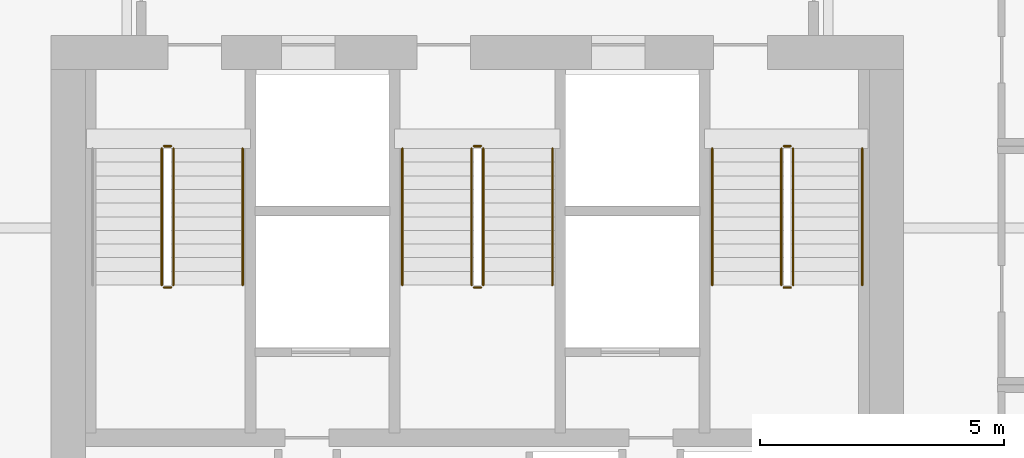
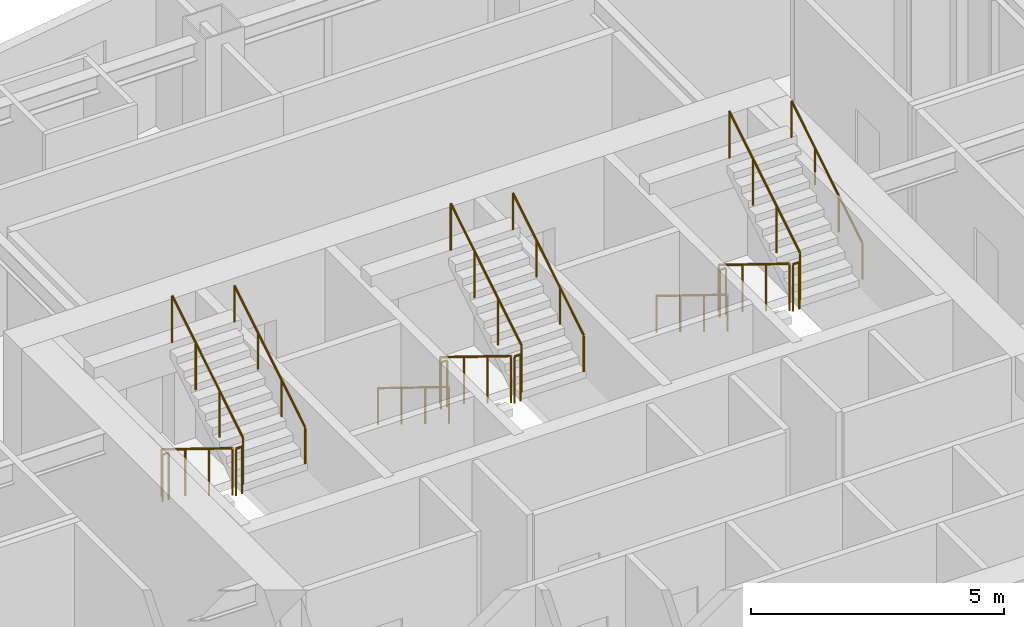
# One storey, part 15 of 15: 17 railings.
"""IFC4 building model written with IfcOpenShell, lengths in metres."""

from ifc_helpers import new_model, si_unit, direction, frame, origin, origin_2d, place, context, subcontext, project, spatial, circle, extrude, material, type_object, element, save


model = new_model("IFC4")

# Units and contexts
model_context = context("Model", 3, precision=1e-05, world=origin(), true_north=direction((0.0, 1.0)))
body_context = subcontext(model_context, "Body", "Model", "MODEL_VIEW")
ifc_project = project(units=[si_unit("LENGTHUNIT", "METRE"), si_unit("AREAUNIT", "SQUARE_METRE"), si_unit("VOLUMEUNIT", "CUBIC_METRE"), si_unit("PLANEANGLEUNIT", "RADIAN"), si_unit("MASSUNIT", "GRAM", prefix="KILO")], contexts=[model_context])

# Site, building, storey
site_placement = place(None, origin())
site = spatial("IfcSite", under=ifc_project, at=site_placement, CompositionType="ELEMENT")
building_placement = place(site_placement, origin())
building = spatial("IfcBuilding", under=site, at=building_placement, Name="Haolan Belvedere Tower", CompositionType="ELEMENT")
storey_placement = place(building_placement, frame((0.0, 0.0, 156.199951171875)))
storey = spatial("IfcBuildingStorey", under=building, at=storey_placement, Name="L39", CompositionType="ELEMENT", Elevation=156.199951171875)

# Railings
ifc_material = material(Name="Brushed stainless steel 304", Category="steel")
railing_type_1 = type_object("IfcRailingType", Name="RL-STAIR-GRD-1150", PredefinedType="GUARDRAIL", material=ifc_material)
railing_1_placement = place(storey_placement, frame((31.919921875, 41.22998046875, 0.1728515625)))
element("IfcRailing", 1, at=railing_1_placement, inside=storey, type_object=railing_type_1, Name="L39 ST1 stair guard 1", PredefinedType="GUARDRAIL", context=body_context, shape_type="SweptSolid", body=[
    extrude(circle(Radius=0.02392578125, at=origin_2d()), frame((0.0, 0.0, 1.1259765625), z_axis=(0.0, -0.851089632645, 0.525020415988), x_axis=(1.0, 0.0, 0.0)), (0.0, 0.0, 1.0), 3.2900390625),
    extrude(circle(Radius=0.02099609375, at=origin_2d()), origin(), (0.0, 0.0, 1.0), 1.101806640625),
    extrude(circle(Radius=0.02099609375, at=origin_2d()), frame((0.0, -0.933349609375, 0.57568359375)), (0.0, 0.0, 1.0), 1.101806640625),
    extrude(circle(Radius=0.02099609375, at=origin_2d()), frame((0.0, -1.86669921875, 1.151611328125)), (0.0, 0.0, 1.0), 1.101806640625),
    extrude(circle(Radius=0.02099609375, at=origin_2d()), frame((0.0, -2.800048828125, 1.727294921875)), (0.0, 0.0, 1.0), 1.101806640625),
])
railing_2_placement = place(storey_placement, frame((31.969970703125, 38.3798828125, 1.900146484375)))
element("IfcRailing", 2, at=railing_2_placement, inside=storey, type_object=railing_type_1, Name="L39 ST1 stair guard 2", PredefinedType="GUARDRAIL", context=body_context, shape_type="SweptSolid", body=[
    extrude(circle(Radius=0.02392578125, at=origin_2d()), frame((0.0, 0.0, 1.1259765625), z_axis=(1.0, 0.0, 0.0), x_axis=(0.0, 1.0, 0.0)), (0.0, 0.0, 1.0), 0.14013671875),
    extrude(circle(Radius=0.02099609375, at=origin_2d()), origin(), (0.0, 0.0, 1.0), 1.101806640625),
    extrude(circle(Radius=0.02099609375, at=origin_2d()), frame((0.14013671875, 0.0, 0.0)), (0.0, 0.0, 1.0), 1.101806640625),
])
railing_3_placement = place(storey_placement, frame((32.159912109375, 38.429931640625, 2.07275390625)))
element("IfcRailing", 3, at=railing_3_placement, inside=storey, type_object=railing_type_1, Name="L39 ST1 stair guard 3", PredefinedType="GUARDRAIL", context=body_context, shape_type="SweptSolid", body=[
    extrude(circle(Radius=0.02392578125, at=origin_2d()), frame((0.0, 0.0, 1.1259765625), z_axis=(0.0, 0.851089632645, 0.525020415988), x_axis=(-1.0, 0.0, 0.0)), (0.0, 0.0, 1.0), 3.2900390625),
    extrude(circle(Radius=0.02099609375, at=origin_2d()), origin(), (0.0, 0.0, 1.0), 1.101806640625),
    extrude(circle(Radius=0.02099609375, at=origin_2d()), frame((0.0, 0.933349609375, 0.57568359375)), (0.0, 0.0, 1.0), 1.101806640625),
    extrude(circle(Radius=0.02099609375, at=origin_2d()), frame((0.0, 1.86669921875, 1.151611328125)), (0.0, 0.0, 1.0), 1.101806640625),
    extrude(circle(Radius=0.02099609375, at=origin_2d()), frame((0.0, 2.800048828125, 1.727294921875)), (0.0, 0.0, 1.0), 1.101806640625),
])
railing_4_placement = place(storey_placement, frame((31.969970703125, 41.280029296875, 0.0)))
element("IfcRailing", 4, at=railing_4_placement, inside=storey, type_object=railing_type_1, Name="L39 ST1 stair guard 4", PredefinedType="GUARDRAIL", context=body_context, shape_type="SweptSolid", body=[
    extrude(circle(Radius=0.02392578125, at=origin_2d()), frame((0.0, 0.0, 1.1259765625), z_axis=(1.0, 0.0, 0.0), x_axis=(0.0, 1.0, 0.0)), (0.0, 0.0, 1.0), 0.14013671875),
    extrude(circle(Radius=0.02099609375, at=origin_2d()), origin(), (0.0, 0.0, 1.0), 1.101806640625),
    extrude(circle(Radius=0.02099609375, at=origin_2d()), frame((0.14013671875, 0.0, 0.0)), (0.0, 0.0, 1.0), 1.101806640625),
])
railing_5_placement = place(storey_placement, frame((38.280029296875, 41.22998046875, 0.1728515625)))
element("IfcRailing", 5, at=railing_5_placement, inside=storey, type_object=railing_type_1, Name="L39 ST3 stair guard 1", PredefinedType="GUARDRAIL", context=body_context, shape_type="SweptSolid", body=[
    extrude(circle(Radius=0.02392578125, at=origin_2d()), frame((0.0, 0.0, 1.1259765625), z_axis=(0.0, -0.851089632645, 0.525020415988), x_axis=(1.0, 0.0, 0.0)), (0.0, 0.0, 1.0), 3.2900390625),
    extrude(circle(Radius=0.02099609375, at=origin_2d()), origin(), (0.0, 0.0, 1.0), 1.101806640625),
    extrude(circle(Radius=0.02099609375, at=origin_2d()), frame((0.0, -0.933349609375, 0.57568359375)), (0.0, 0.0, 1.0), 1.101806640625),
    extrude(circle(Radius=0.02099609375, at=origin_2d()), frame((0.0, -1.86669921875, 1.151611328125)), (0.0, 0.0, 1.0), 1.101806640625),
    extrude(circle(Radius=0.02099609375, at=origin_2d()), frame((0.0, -2.800048828125, 1.727294921875)), (0.0, 0.0, 1.0), 1.101806640625),
])
railing_6_placement = place(storey_placement, frame((38.330078125, 38.3798828125, 1.900146484375)))
element("IfcRailing", 6, at=railing_6_placement, inside=storey, type_object=railing_type_1, Name="L39 ST3 stair guard 2", PredefinedType="GUARDRAIL", context=body_context, shape_type="SweptSolid", body=[
    extrude(circle(Radius=0.02392578125, at=origin_2d()), frame((0.0, 0.0, 1.1259765625), z_axis=(1.0, 0.0, 0.0), x_axis=(0.0, 1.0, 0.0)), (0.0, 0.0, 1.0), 0.139892578125),
    extrude(circle(Radius=0.02099609375, at=origin_2d()), origin(), (0.0, 0.0, 1.0), 1.101806640625),
    extrude(circle(Radius=0.02099609375, at=origin_2d()), frame((0.139892578125, 0.0, 0.0)), (0.0, 0.0, 1.0), 1.101806640625),
])
railing_7_placement = place(storey_placement, frame((38.52001953125, 38.429931640625, 2.07275390625)))
element("IfcRailing", 7, at=railing_7_placement, inside=storey, type_object=railing_type_1, Name="L39 ST3 stair guard 3", PredefinedType="GUARDRAIL", context=body_context, shape_type="SweptSolid", body=[
    extrude(circle(Radius=0.02392578125, at=origin_2d()), frame((0.0, 0.0, 1.1259765625), z_axis=(0.0, 0.851089632645, 0.525020415988), x_axis=(-1.0, 0.0, 0.0)), (0.0, 0.0, 1.0), 3.2900390625),
    extrude(circle(Radius=0.02099609375, at=origin_2d()), origin(), (0.0, 0.0, 1.0), 1.101806640625),
    extrude(circle(Radius=0.02099609375, at=origin_2d()), frame((0.0, 0.933349609375, 0.57568359375)), (0.0, 0.0, 1.0), 1.101806640625),
    extrude(circle(Radius=0.02099609375, at=origin_2d()), frame((0.0, 1.86669921875, 1.151611328125)), (0.0, 0.0, 1.0), 1.101806640625),
    extrude(circle(Radius=0.02099609375, at=origin_2d()), frame((0.0, 2.800048828125, 1.727294921875)), (0.0, 0.0, 1.0), 1.101806640625),
])
railing_8_placement = place(storey_placement, frame((38.330078125, 41.280029296875, 0.0)))
element("IfcRailing", 8, at=railing_8_placement, inside=storey, type_object=railing_type_1, Name="L39 ST3 stair guard 4", PredefinedType="GUARDRAIL", context=body_context, shape_type="SweptSolid", body=[
    extrude(circle(Radius=0.02392578125, at=origin_2d()), frame((0.0, 0.0, 1.1259765625), z_axis=(1.0, 0.0, 0.0), x_axis=(0.0, 1.0, 0.0)), (0.0, 0.0, 1.0), 0.139892578125),
    extrude(circle(Radius=0.02099609375, at=origin_2d()), origin(), (0.0, 0.0, 1.0), 1.101806640625),
    extrude(circle(Radius=0.02099609375, at=origin_2d()), frame((0.139892578125, 0.0, 0.0)), (0.0, 0.0, 1.0), 1.101806640625),
])
railing_9_placement = place(storey_placement, frame((44.639892578125, 41.22998046875, 0.1728515625)))
element("IfcRailing", 9, at=railing_9_placement, inside=storey, type_object=railing_type_1, Name="L39 ST2 stair guard 1", PredefinedType="GUARDRAIL", context=body_context, shape_type="SweptSolid", body=[
    extrude(circle(Radius=0.02392578125, at=origin_2d()), frame((0.0, 0.0, 1.1259765625), z_axis=(0.0, -0.851089632645, 0.525020415988), x_axis=(1.0, 0.0, 0.0)), (0.0, 0.0, 1.0), 3.2900390625),
    extrude(circle(Radius=0.02099609375, at=origin_2d()), origin(), (0.0, 0.0, 1.0), 1.101806640625),
    extrude(circle(Radius=0.02099609375, at=origin_2d()), frame((0.0, -0.933349609375, 0.57568359375)), (0.0, 0.0, 1.0), 1.101806640625),
    extrude(circle(Radius=0.02099609375, at=origin_2d()), frame((0.0, -1.86669921875, 1.151611328125)), (0.0, 0.0, 1.0), 1.101806640625),
    extrude(circle(Radius=0.02099609375, at=origin_2d()), frame((0.0, -2.800048828125, 1.727294921875)), (0.0, 0.0, 1.0), 1.101806640625),
])
railing_10_placement = place(storey_placement, frame((44.68994140625, 38.3798828125, 1.900146484375)))
element("IfcRailing", 10, at=railing_10_placement, inside=storey, type_object=railing_type_1, Name="L39 ST2 stair guard 2", PredefinedType="GUARDRAIL", context=body_context, shape_type="SweptSolid", body=[
    extrude(circle(Radius=0.02392578125, at=origin_2d()), frame((0.0, 0.0, 1.1259765625), z_axis=(1.0, 0.0, 0.0), x_axis=(0.0, 1.0, 0.0)), (0.0, 0.0, 1.0), 0.14013671875),
    extrude(circle(Radius=0.02099609375, at=origin_2d()), origin(), (0.0, 0.0, 1.0), 1.101806640625),
    extrude(circle(Radius=0.02099609375, at=origin_2d()), frame((0.14013671875, 0.0, 0.0)), (0.0, 0.0, 1.0), 1.101806640625),
])
railing_11_placement = place(storey_placement, frame((44.8798828125, 38.429931640625, 2.07275390625)))
element("IfcRailing", 11, at=railing_11_placement, inside=storey, type_object=railing_type_1, Name="L39 ST2 stair guard 3", PredefinedType="GUARDRAIL", context=body_context, shape_type="SweptSolid", body=[
    extrude(circle(Radius=0.02392578125, at=origin_2d()), frame((0.0, 0.0, 1.1259765625), z_axis=(0.0, 0.851089632645, 0.525020415988), x_axis=(-1.0, 0.0, 0.0)), (0.0, 0.0, 1.0), 3.2900390625),
    extrude(circle(Radius=0.02099609375, at=origin_2d()), origin(), (0.0, 0.0, 1.0), 1.101806640625),
    extrude(circle(Radius=0.02099609375, at=origin_2d()), frame((0.0, 0.933349609375, 0.57568359375)), (0.0, 0.0, 1.0), 1.101806640625),
    extrude(circle(Radius=0.02099609375, at=origin_2d()), frame((0.0, 1.86669921875, 1.151611328125)), (0.0, 0.0, 1.0), 1.101806640625),
    extrude(circle(Radius=0.02099609375, at=origin_2d()), frame((0.0, 2.800048828125, 1.727294921875)), (0.0, 0.0, 1.0), 1.101806640625),
])
railing_12_placement = place(storey_placement, frame((44.68994140625, 41.280029296875, 0.0)))
element("IfcRailing", 12, at=railing_12_placement, inside=storey, type_object=railing_type_1, Name="L39 ST2 stair guard 4", PredefinedType="GUARDRAIL", context=body_context, shape_type="SweptSolid", body=[
    extrude(circle(Radius=0.02392578125, at=origin_2d()), frame((0.0, 0.0, 1.1259765625), z_axis=(1.0, 0.0, 0.0), x_axis=(0.0, 1.0, 0.0)), (0.0, 0.0, 1.0), 0.14013671875),
    extrude(circle(Radius=0.02099609375, at=origin_2d()), origin(), (0.0, 0.0, 1.0), 1.101806640625),
    extrude(circle(Radius=0.02099609375, at=origin_2d()), frame((0.14013671875, 0.0, 0.0)), (0.0, 0.0, 1.0), 1.101806640625),
])
railing_type_2 = type_object("IfcRailingType", Name="RL-STAIR-HND-900", PredefinedType="HANDRAIL", material=ifc_material)
railing_13_placement = place(storey_placement, frame((33.580078125, 38.429931640625, 2.07275390625)))
element("IfcRailing", 13, at=railing_13_placement, inside=storey, type_object=railing_type_2, Name="L39 ST1 stair handrail 2", PredefinedType="HANDRAIL", context=body_context, shape_type="SweptSolid", body=[
    extrude(circle(Radius=0.02392578125, at=origin_2d()), frame((0.0, 0.0, 0.8759765625), z_axis=(0.0, 0.851089632645, 0.525020415988), x_axis=(-1.0, 0.0, 0.0)), (0.0, 0.0, 1.0), 3.2900390625),
    extrude(circle(Radius=0.02099609375, at=origin_2d()), origin(), (0.0, 0.0, 1.0), 0.851806640625),
    extrude(circle(Radius=0.02099609375, at=origin_2d()), frame((0.0, 0.933349609375, 0.57568359375)), (0.0, 0.0, 1.0), 0.851806640625),
    extrude(circle(Radius=0.02099609375, at=origin_2d()), frame((0.0, 1.86669921875, 1.151611328125)), (0.0, 0.0, 1.0), 0.851806640625),
    extrude(circle(Radius=0.02099609375, at=origin_2d()), frame((0.0, 2.800048828125, 1.727294921875)), (0.0, 0.0, 1.0), 0.851806640625),
])
railing_14_placement = place(storey_placement, frame((36.860107421875, 41.22998046875, 0.1728515625)))
element("IfcRailing", 14, at=railing_14_placement, inside=storey, type_object=railing_type_2, Name="L39 ST3 stair handrail 1", PredefinedType="HANDRAIL", context=body_context, shape_type="SweptSolid", body=[
    extrude(circle(Radius=0.02392578125, at=origin_2d()), frame((0.0, 0.0, 0.8759765625), z_axis=(0.0, -0.851089632645, 0.525020415988), x_axis=(1.0, 0.0, 0.0)), (0.0, 0.0, 1.0), 3.2900390625),
    extrude(circle(Radius=0.02099609375, at=origin_2d()), origin(), (0.0, 0.0, 1.0), 0.851806640625),
    extrude(circle(Radius=0.02099609375, at=origin_2d()), frame((0.0, -0.933349609375, 0.57568359375)), (0.0, 0.0, 1.0), 0.851806640625),
    extrude(circle(Radius=0.02099609375, at=origin_2d()), frame((0.0, -1.86669921875, 1.151611328125)), (0.0, 0.0, 1.0), 0.851806640625),
    extrude(circle(Radius=0.02099609375, at=origin_2d()), frame((0.0, -2.800048828125, 1.727294921875)), (0.0, 0.0, 1.0), 0.851806640625),
])
railing_15_placement = place(storey_placement, frame((39.93994140625, 38.429931640625, 2.07275390625)))
element("IfcRailing", 15, at=railing_15_placement, inside=storey, type_object=railing_type_2, Name="L39 ST3 stair handrail 2", PredefinedType="HANDRAIL", context=body_context, shape_type="SweptSolid", body=[
    extrude(circle(Radius=0.02392578125, at=origin_2d()), frame((0.0, 0.0, 0.8759765625), z_axis=(0.0, 0.851089632645, 0.525020415988), x_axis=(-1.0, 0.0, 0.0)), (0.0, 0.0, 1.0), 3.2900390625),
    extrude(circle(Radius=0.02099609375, at=origin_2d()), origin(), (0.0, 0.0, 1.0), 0.851806640625),
    extrude(circle(Radius=0.02099609375, at=origin_2d()), frame((0.0, 0.933349609375, 0.57568359375)), (0.0, 0.0, 1.0), 0.851806640625),
    extrude(circle(Radius=0.02099609375, at=origin_2d()), frame((0.0, 1.86669921875, 1.151611328125)), (0.0, 0.0, 1.0), 0.851806640625),
    extrude(circle(Radius=0.02099609375, at=origin_2d()), frame((0.0, 2.800048828125, 1.727294921875)), (0.0, 0.0, 1.0), 0.851806640625),
])
railing_16_placement = place(storey_placement, frame((43.219970703125, 41.22998046875, 0.1728515625)))
element("IfcRailing", 16, at=railing_16_placement, inside=storey, type_object=railing_type_2, Name="L39 ST2 stair handrail 1", PredefinedType="HANDRAIL", context=body_context, shape_type="SweptSolid", body=[
    extrude(circle(Radius=0.02392578125, at=origin_2d()), frame((0.0, 0.0, 0.8759765625), z_axis=(0.0, -0.851089632645, 0.525020415988), x_axis=(1.0, 0.0, 0.0)), (0.0, 0.0, 1.0), 3.2900390625),
    extrude(circle(Radius=0.02099609375, at=origin_2d()), origin(), (0.0, 0.0, 1.0), 0.851806640625),
    extrude(circle(Radius=0.02099609375, at=origin_2d()), frame((0.0, -0.933349609375, 0.57568359375)), (0.0, 0.0, 1.0), 0.851806640625),
    extrude(circle(Radius=0.02099609375, at=origin_2d()), frame((0.0, -1.86669921875, 1.151611328125)), (0.0, 0.0, 1.0), 0.851806640625),
    extrude(circle(Radius=0.02099609375, at=origin_2d()), frame((0.0, -2.800048828125, 1.727294921875)), (0.0, 0.0, 1.0), 0.851806640625),
])
railing_17_placement = place(storey_placement, frame((46.300048828125, 38.429931640625, 2.07275390625)))
element("IfcRailing", 17, at=railing_17_placement, inside=storey, type_object=railing_type_2, Name="L39 ST2 stair handrail 2", PredefinedType="HANDRAIL", context=body_context, shape_type="SweptSolid", body=[
    extrude(circle(Radius=0.02392578125, at=origin_2d()), frame((0.0, 0.0, 0.8759765625), z_axis=(0.0, 0.851089632645, 0.525020415988), x_axis=(-1.0, 0.0, 0.0)), (0.0, 0.0, 1.0), 3.2900390625),
    extrude(circle(Radius=0.02099609375, at=origin_2d()), origin(), (0.0, 0.0, 1.0), 0.851806640625),
    extrude(circle(Radius=0.02099609375, at=origin_2d()), frame((0.0, 0.933349609375, 0.57568359375)), (0.0, 0.0, 1.0), 0.851806640625),
    extrude(circle(Radius=0.02099609375, at=origin_2d()), frame((0.0, 1.86669921875, 1.151611328125)), (0.0, 0.0, 1.0), 0.851806640625),
    extrude(circle(Radius=0.02099609375, at=origin_2d()), frame((0.0, 2.800048828125, 1.727294921875)), (0.0, 0.0, 1.0), 0.851806640625),
])

save(model, "model.ifc")
